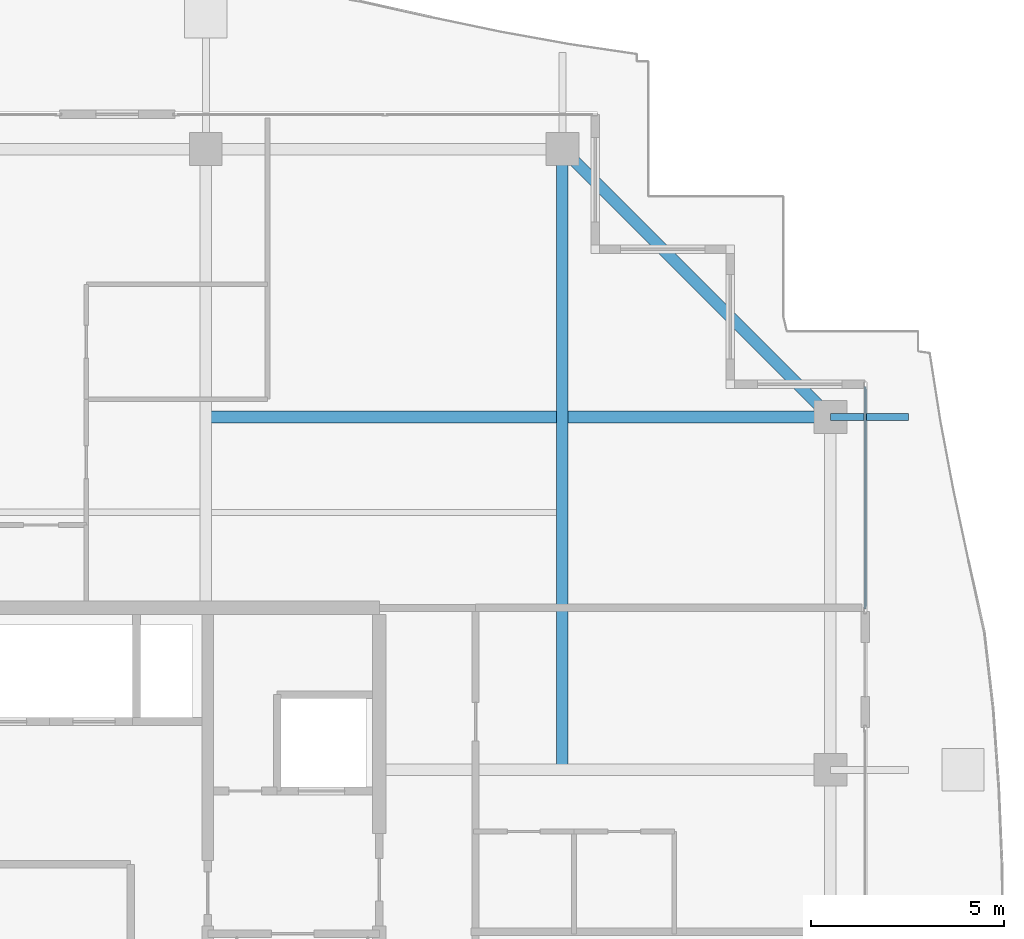
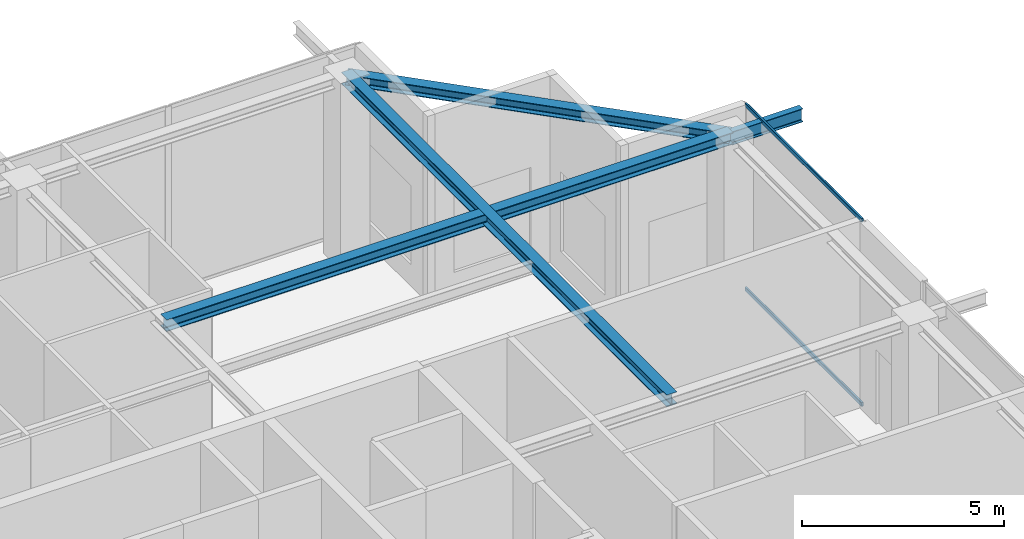
# One storey, part 24 of 40: 4 beams, 2 members, 1 element without a shape of its own.
"""IFC4 building model written with IfcOpenShell, lengths in metres."""

from ifc_helpers import new_model, si_unit, direction, frame, origin, origin_2d, place, context, subcontext, project, spatial, hollow_rectangle, i_section, extrude, source, transform, mapped, material, layer, layer_set, material_profile, profile_set, type_object, element, aggregate, save


model = new_model("IFC4")

# Units and contexts
model_context = context("Model", 3, precision=1e-05, world=origin(), true_north=direction((0.0, 1.0)))
body_context = subcontext(model_context, "Body", "Model", "MODEL_VIEW")
ifc_project = project(units=[si_unit("LENGTHUNIT", "METRE"), si_unit("AREAUNIT", "SQUARE_METRE"), si_unit("VOLUMEUNIT", "CUBIC_METRE"), si_unit("PLANEANGLEUNIT", "RADIAN"), si_unit("MASSUNIT", "GRAM", prefix="KILO")], contexts=[model_context])

# Site, building, storey
site_placement = place(None, origin())
site = spatial("IfcSite", under=ifc_project, at=site_placement, CompositionType="ELEMENT")
building_placement = place(site_placement, origin())
building = spatial("IfcBuilding", under=site, at=building_placement, Name="Serunith Strait Residences", CompositionType="ELEMENT")
storey_placement = place(building_placement, frame((0.0, 0.0, 347.949951171875)))
storey = spatial("IfcBuildingStorey", under=building, at=storey_placement, Name="L86", CompositionType="ELEMENT", Elevation=347.949951171875)

# Beams
ifc_material_1 = material(Name="Steel S355J2", Category="steel")
ifc_material_profile_1 = material_profile(ifc_material_1, i_section(OverallWidth=0.300048828125, OverallDepth=0.360107421875, WebThickness=0.012451171875, FlangeThickness=0.0224609375, FilletRadius=0.027099609375, at=origin_2d()), Name="HEB 360")
ifc_profile_set_1 = profile_set([ifc_material_profile_1], Name="Steel S355J2")
beam_type_1 = type_object("IfcBeamType", Name="BM-HEB360", PredefinedType="BEAM", material=ifc_profile_set_1)
shared_shape_1 = source(origin(), body_context, "Body", "SweptSolid", [
    extrude(i_section(OverallWidth=0.300048828125, OverallDepth=0.360107421875, WebThickness=0.012451171875, FlangeThickness=0.0224609375, FilletRadius=0.027099609375, at=origin_2d()), origin(), (0.0, 0.0, 1.0), 16.10009765625),
])
beam_1_placement = place(storey_placement, frame((46.14990234375, 29.39990234375, 5.45703125), z_axis=(0.0, 1.0, 0.0), x_axis=(-1.0, 0.0, 0.0)))
element("IfcBeam", 1, at=beam_1_placement, inside=storey, type_object=beam_type_1, Name="L86 Orthogonal Corner Girder TC-N4", PredefinedType="BEAM", context=body_context, shape_type="MappedRepresentation", body=[
    mapped(shared_shape_1, transform((0.0, 0.0, 0.0), scale=1.0)),
])
shared_shape_2 = source(origin(), body_context, "Body", "SweptSolid", [
    extrude(i_section(OverallWidth=0.300048828125, OverallDepth=0.360107421875, WebThickness=0.012451171875, FlangeThickness=0.0224609375, FilletRadius=0.027099609375, at=origin_2d()), origin(), (0.0, 0.0, 1.0), 16.2001953125),
])
beam_2_placement = place(storey_placement, frame((36.89990234375, 38.550048828125, 5.45703125), z_axis=(1.0, 0.0, 0.0), x_axis=(0.0, 1.0, 0.0)))
element("IfcBeam", 2, at=beam_2_placement, inside=storey, type_object=beam_type_1, Name="L86 Orthogonal Corner Girder TC-E4", PredefinedType="BEAM", context=body_context, shape_type="MappedRepresentation", body=[
    mapped(shared_shape_2, transform((0.0, 0.0, 0.0), scale=1.0)),
])
ifc_material_profile_2 = material_profile(ifc_material_1, i_section(OverallWidth=0.300048828125, OverallDepth=0.320068359375, WebThickness=0.011474609375, FlangeThickness=0.0205078125, FilletRadius=0.027099609375, at=origin_2d()), Name="HEB 320")
ifc_profile_set_2 = profile_set([ifc_material_profile_2], Name="Steel S355J2")
beam_type_2 = type_object("IfcBeamType", Name="BM-HEB320", PredefinedType="BEAM", material=ifc_profile_set_2)
shared_shape_3 = source(origin(), body_context, "Body", "SweptSolid", [
    extrude(i_section(OverallWidth=0.300048828125, OverallDepth=0.320068359375, WebThickness=0.011474609375, FlangeThickness=0.0205078125, FilletRadius=0.027099609375, at=origin_2d()), origin(), (0.0, 0.0, 1.0), 9.828857421875),
])
beam_3_placement = place(storey_placement, frame((53.10009765625, 38.550048828125, 5.447021484375), z_axis=(-0.707119200622, 0.707094361533, 0.0), x_axis=(-0.707094361533, -0.707119200622, 0.0)))
element("IfcBeam", 3, at=beam_3_placement, inside=storey, type_object=beam_type_2, Name="L86 Perimeter Ring Beam 08", PredefinedType="BEAM", context=body_context, shape_type="MappedRepresentation", body=[
    mapped(shared_shape_3, transform((0.0, 0.0, 0.0), scale=1.0)),
])
ifc_material_profile_3 = material_profile(ifc_material_1, i_section(OverallWidth=0.179931640625, OverallDepth=0.39990234375, WebThickness=0.008544921875, FlangeThickness=0.013427734375, FilletRadius=0.02099609375, at=origin_2d()), Name="IPE 400")
ifc_profile_set_3 = profile_set([ifc_material_profile_3], Name="Steel S355J2")
beam_type_3 = type_object("IfcBeamType", Name="BM-IPE400", PredefinedType="JOIST", material=ifc_profile_set_3)
shared_shape_4 = source(origin(), body_context, "Body", "SweptSolid", [
    extrude(i_section(OverallWidth=0.179931640625, OverallDepth=0.39990234375, WebThickness=0.008544921875, FlangeThickness=0.013427734375, FilletRadius=0.02099609375, at=origin_2d()), origin(), (0.0, 0.0, 1.0), 2.02978515625),
])
beam_4_placement = place(storey_placement, frame((53.10009765625, 38.550048828125, 5.406982421875), z_axis=(1.0, 0.0, 0.0), x_axis=(0.0, 1.0, 0.0)))
element("IfcBeam", 4, at=beam_4_placement, inside=storey, type_object=beam_type_3, Name="L87 Cantilevered Balcony Rib TC-E4", PredefinedType="JOIST", context=body_context, shape_type="MappedRepresentation", body=[
    mapped(shared_shape_4, transform((0.0, 0.0, 0.0), scale=1.0)),
])

# Curtain wall, members
ifc_material_2 = material(Name="Brushed Stainless-Silver Aluminium", Category="aluminium")
ifc_layer = layer(ifc_material_2, 0.199951171875, Name="Brushed Stainless-Silver Aluminium")
ifc_layer_set = layer_set([ifc_layer], Name="Brushed Stainless-Silver Aluminium")
curtain_wall_type = type_object("IfcCurtainWallType", Name="CW-SYS5", PredefinedType="NOTDEFINED", material=ifc_layer_set)
curtain_wall_placement = place(storey_placement, origin())
curtain_wall = element("IfcCurtainWall", 5, at=curtain_wall_placement, inside=storey, type_object=curtain_wall_type, Name="L86 E Unitised Fritted Curtain Wall", PredefinedType="NOTDEFINED")
ifc_material_profile_4 = material_profile(ifc_material_2, hollow_rectangle(XDim=0.06005859375, YDim=0.1201171875, WallThickness=0.00341796875, InnerFilletRadius=0.00537109375, OuterFilletRadius=0.0087890625, at=origin_2d()), Name="ALU 120x60x3.5")
ifc_profile_set_4 = profile_set([ifc_material_profile_4], Name="Brushed Stainless-Silver Aluminium")
member_type = type_object("IfcMemberType", Name="CW-SYS5-TRAN", PredefinedType="USERDEFINED", material=ifc_profile_set_4)
shared_shape_5 = source(origin(), body_context, "Body", "SweptSolid", [
    extrude(hollow_rectangle(XDim=0.06005859375, YDim=0.1201171875, WallThickness=0.00341796875, InnerFilletRadius=0.00537109375, OuterFilletRadius=0.0087890625, at=origin_2d()), origin(), (0.0, 0.0, 1.0), 5.77001953125),
])
member_1_placement = place(storey_placement, frame((54.0, 33.56494140625, 0.030029296875), z_axis=(0.0, 1.0, 0.0), x_axis=(-1.0, 0.0, 0.0)))
member_1 = element("IfcMember", 6, at=member_1_placement, type_object=member_type, Name="CW-5 transom 1.1", ObjectType="TRANSOM", PredefinedType="USERDEFINED", context=body_context, shape_type="MappedRepresentation", body=[
    mapped(shared_shape_5, transform((0.0, 0.0, 0.0), scale=1.0)),
])
member_2_placement = place(storey_placement, frame((54.0, 33.56494140625, 5.594970703125), z_axis=(0.0, 1.0, 0.0), x_axis=(-1.0, 0.0, 0.0)))
member_2 = element("IfcMember", 7, at=member_2_placement, type_object=member_type, Name="CW-5 transom 1.2", ObjectType="TRANSOM", PredefinedType="USERDEFINED", context=body_context, shape_type="MappedRepresentation", body=[
    mapped(shared_shape_5, transform((0.0, 0.0, 0.0), scale=1.0)),
])
aggregate(curtain_wall, [member_1, member_2])

save(model, "model.ifc")
